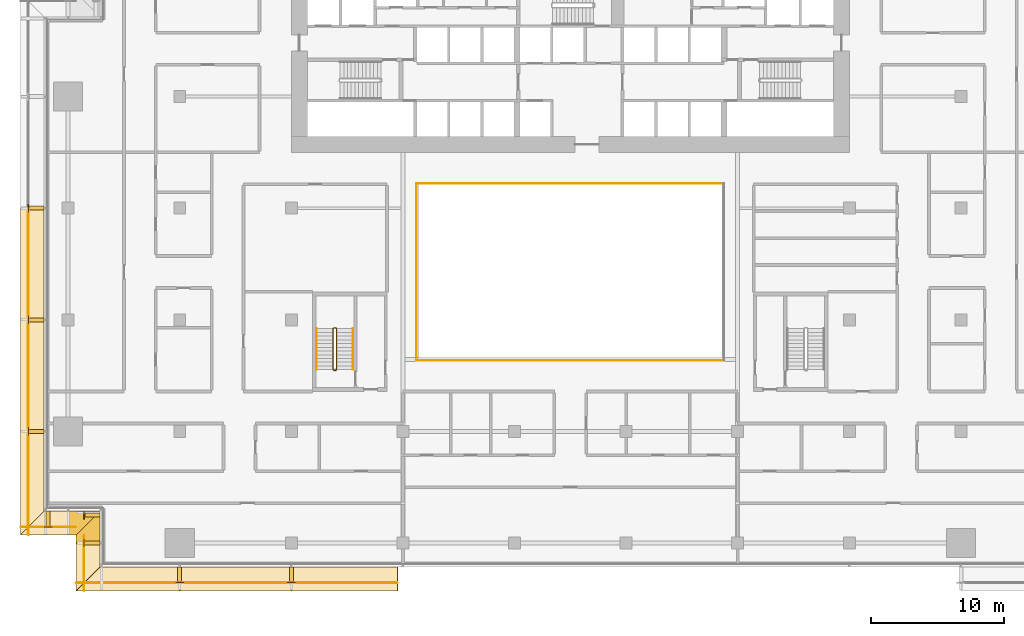
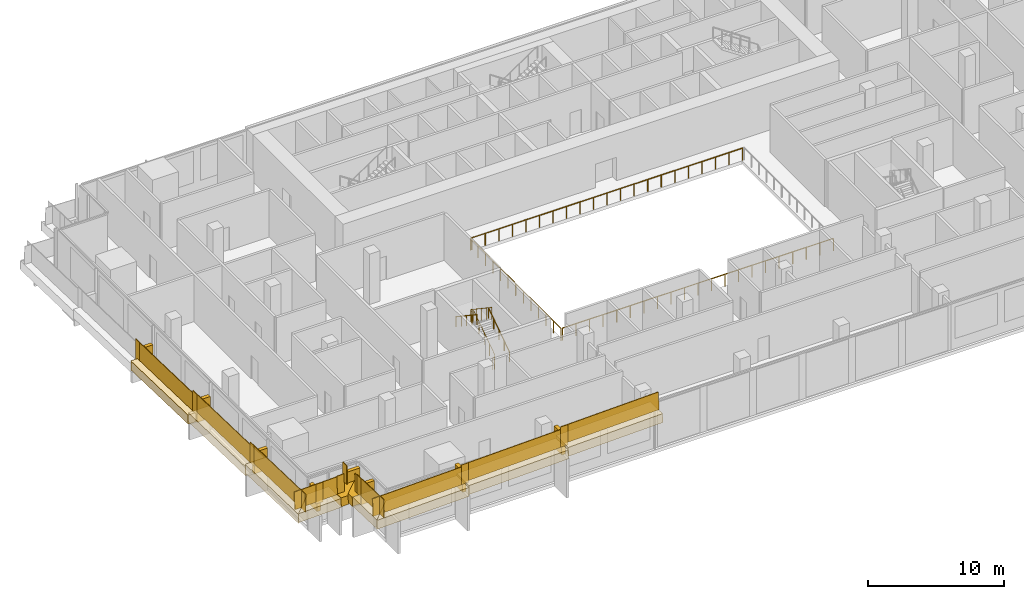
# One storey, part 20 of 23: 24 railings, 18 coverings.
"""IFC4 building model written with IfcOpenShell, lengths in metres."""

from ifc_helpers import new_model, si_unit, direction, frame, origin, origin_2d, place, context, subcontext, project, spatial, polyline, rectangle, circle, outline, extrude, material, layer, layer_set, type_object, element, save


model = new_model("IFC4")

# Units and contexts
model_context = context("Model", 3, precision=1e-05, world=origin(), true_north=direction((0.0, 1.0)))
body_context = subcontext(model_context, "Body", "Model", "MODEL_VIEW")
ifc_project = project(units=[si_unit("LENGTHUNIT", "METRE"), si_unit("AREAUNIT", "SQUARE_METRE"), si_unit("VOLUMEUNIT", "CUBIC_METRE"), si_unit("PLANEANGLEUNIT", "RADIAN"), si_unit("MASSUNIT", "GRAM", prefix="KILO")], contexts=[model_context])

# Site, building, storey
site_placement = place(None, origin())
site = spatial("IfcSite", under=ifc_project, at=site_placement, CompositionType="ELEMENT")
building_placement = place(site_placement, origin())
building = spatial("IfcBuilding", under=site, at=building_placement, Name="Saffron Gate Tower", CompositionType="ELEMENT")
storey_placement = place(building_placement, frame((0.0, 0.0, 23.699951171875)))
storey = spatial("IfcBuildingStorey", under=building, at=storey_placement, Name="L04", CompositionType="ELEMENT", Elevation=23.699951171875)

# Railings
ifc_material_1 = material(Name="Stainless steel and laminated glass", Category="steel")
railing_type_1 = type_object("IfcRailingType", Name="AG1 Atrium edge guard 1100", PredefinedType="GUARDRAIL", material=ifc_material_1)
railing_1_placement = place(storey_placement, frame((76.02001953125, 45.5400390625, 0.0)))
element("IfcRailing", 1, at=railing_1_placement, inside=storey, type_object=railing_type_1, Name="Guard S2-1", PredefinedType="GUARDRAIL", context=body_context, shape_type="SweptSolid", body=[
    extrude(circle(Radius=0.02392578125, at=origin_2d()), frame((0.0, 0.0, 1.076171875), z_axis=(0.0, 1.0, 0.0), x_axis=(-1.0, 0.0, 0.0)), (0.0, 0.0, 1.0), 13.320068359375),
    extrude(circle(Radius=0.02099609375, at=origin_2d()), origin(), (0.0, 0.0, 1.0), 1.052001953125),
    extrude(circle(Radius=0.02099609375, at=origin_2d()), frame((0.0, 1.110107421875, 0.0)), (0.0, 0.0, 1.0), 1.052001953125),
    extrude(circle(Radius=0.02099609375, at=origin_2d()), frame((0.0, 2.219970703125, 0.0)), (0.0, 0.0, 1.0), 1.052001953125),
    extrude(circle(Radius=0.02099609375, at=origin_2d()), frame((0.0, 3.330078125, 0.0)), (0.0, 0.0, 1.0), 1.052001953125),
    extrude(circle(Radius=0.02099609375, at=origin_2d()), frame((0.0, 4.43994140625, 0.0)), (0.0, 0.0, 1.0), 1.052001953125),
    extrude(circle(Radius=0.02099609375, at=origin_2d()), frame((0.0, 5.550048828125, 0.0)), (0.0, 0.0, 1.0), 1.052001953125),
    extrude(circle(Radius=0.02099609375, at=origin_2d()), frame((0.0, 6.66015625, 0.0)), (0.0, 0.0, 1.0), 1.052001953125),
    extrude(circle(Radius=0.02099609375, at=origin_2d()), frame((0.0, 7.77001953125, 0.0)), (0.0, 0.0, 1.0), 1.052001953125),
    extrude(circle(Radius=0.02099609375, at=origin_2d()), frame((0.0, 8.880126953125, 0.0)), (0.0, 0.0, 1.0), 1.052001953125),
    extrude(circle(Radius=0.02099609375, at=origin_2d()), frame((0.0, 9.989990234375, 0.0)), (0.0, 0.0, 1.0), 1.052001953125),
    extrude(circle(Radius=0.02099609375, at=origin_2d()), frame((0.0, 11.10009765625, 0.0)), (0.0, 0.0, 1.0), 1.052001953125),
    extrude(circle(Radius=0.02099609375, at=origin_2d()), frame((0.0, 12.2099609375, 0.0)), (0.0, 0.0, 1.0), 1.052001953125),
    extrude(circle(Radius=0.02099609375, at=origin_2d()), frame((0.0, 13.320068359375, 0.0)), (0.0, 0.0, 1.0), 1.052001953125),
])
railing_2_placement = place(storey_placement, frame((76.139892578125, 58.860107421875, 0.0)))
element("IfcRailing", 2, at=railing_2_placement, inside=storey, type_object=railing_type_1, Name="Guard S2-2", PredefinedType="GUARDRAIL", context=body_context, shape_type="SweptSolid", body=[
    extrude(circle(Radius=0.02392578125, at=origin_2d()), frame((0.0, 0.0, 1.076171875), z_axis=(1.0, 0.0, 0.0), x_axis=(0.0, 1.0, 0.0)), (0.0, 0.0, 1.0), 22.920166015625),
    extrude(circle(Radius=0.02099609375, at=origin_2d()), origin(), (0.0, 0.0, 1.0), 1.052001953125),
    extrude(circle(Radius=0.02099609375, at=origin_2d()), frame((1.14599609375, 0.0, 0.0)), (0.0, 0.0, 1.0), 1.052001953125),
    extrude(circle(Radius=0.02099609375, at=origin_2d()), frame((2.2919921875, 0.0, 0.0)), (0.0, 0.0, 1.0), 1.052001953125),
    extrude(circle(Radius=0.02099609375, at=origin_2d()), frame((3.43798828125, 0.0, 0.0)), (0.0, 0.0, 1.0), 1.052001953125),
    extrude(circle(Radius=0.02099609375, at=origin_2d()), frame((4.583984375, 0.0, 0.0)), (0.0, 0.0, 1.0), 1.052001953125),
    extrude(circle(Radius=0.02099609375, at=origin_2d()), frame((5.72998046875, 0.0, 0.0)), (0.0, 0.0, 1.0), 1.052001953125),
    extrude(circle(Radius=0.02099609375, at=origin_2d()), frame((6.8759765625, 0.0, 0.0)), (0.0, 0.0, 1.0), 1.052001953125),
    extrude(circle(Radius=0.02099609375, at=origin_2d()), frame((8.02197265625, 0.0, 0.0)), (0.0, 0.0, 1.0), 1.052001953125),
    extrude(circle(Radius=0.02099609375, at=origin_2d()), frame((9.16796875, 0.0, 0.0)), (0.0, 0.0, 1.0), 1.052001953125),
    extrude(circle(Radius=0.02099609375, at=origin_2d()), frame((10.31396484375, 0.0, 0.0)), (0.0, 0.0, 1.0), 1.052001953125),
    extrude(circle(Radius=0.02099609375, at=origin_2d()), frame((11.4599609375, 0.0, 0.0)), (0.0, 0.0, 1.0), 1.052001953125),
    extrude(circle(Radius=0.02099609375, at=origin_2d()), frame((12.606201171875, 0.0, 0.0)), (0.0, 0.0, 1.0), 1.052001953125),
    extrude(circle(Radius=0.02099609375, at=origin_2d()), frame((13.752197265625, 0.0, 0.0)), (0.0, 0.0, 1.0), 1.052001953125),
    extrude(circle(Radius=0.02099609375, at=origin_2d()), frame((14.898193359375, 0.0, 0.0)), (0.0, 0.0, 1.0), 1.052001953125),
    extrude(circle(Radius=0.02099609375, at=origin_2d()), frame((16.044189453125, 0.0, 0.0)), (0.0, 0.0, 1.0), 1.052001953125),
    extrude(circle(Radius=0.02099609375, at=origin_2d()), frame((17.190185546875, 0.0, 0.0)), (0.0, 0.0, 1.0), 1.052001953125),
    extrude(circle(Radius=0.02099609375, at=origin_2d()), frame((18.336181640625, 0.0, 0.0)), (0.0, 0.0, 1.0), 1.052001953125),
    extrude(circle(Radius=0.02099609375, at=origin_2d()), frame((19.482177734375, 0.0, 0.0)), (0.0, 0.0, 1.0), 1.052001953125),
    extrude(circle(Radius=0.02099609375, at=origin_2d()), frame((20.628173828125, 0.0, 0.0)), (0.0, 0.0, 1.0), 1.052001953125),
    extrude(circle(Radius=0.02099609375, at=origin_2d()), frame((21.774169921875, 0.0, 0.0)), (0.0, 0.0, 1.0), 1.052001953125),
    extrude(circle(Radius=0.02099609375, at=origin_2d()), frame((22.920166015625, 0.0, 0.0)), (0.0, 0.0, 1.0), 1.052001953125),
])
railing_3_placement = place(storey_placement, frame((99.06005859375, 45.5400390625, 0.0)))
element("IfcRailing", 3, at=railing_3_placement, inside=storey, type_object=railing_type_1, Name="Guard S2-4", PredefinedType="GUARDRAIL", context=body_context, shape_type="SweptSolid", body=[
    extrude(circle(Radius=0.02392578125, at=origin_2d()), frame((0.0, 0.0, 1.076171875), z_axis=(-1.0, 0.0, 0.0), x_axis=(0.0, -1.0, 0.0)), (0.0, 0.0, 1.0), 22.920166015625),
    extrude(circle(Radius=0.02099609375, at=origin_2d()), origin(), (0.0, 0.0, 1.0), 1.052001953125),
    extrude(circle(Radius=0.02099609375, at=origin_2d()), frame((-1.14599609375, 0.0, 0.0)), (0.0, 0.0, 1.0), 1.052001953125),
    extrude(circle(Radius=0.02099609375, at=origin_2d()), frame((-2.2919921875, 0.0, 0.0)), (0.0, 0.0, 1.0), 1.052001953125),
    extrude(circle(Radius=0.02099609375, at=origin_2d()), frame((-3.43798828125, 0.0, 0.0)), (0.0, 0.0, 1.0), 1.052001953125),
    extrude(circle(Radius=0.02099609375, at=origin_2d()), frame((-4.583984375, 0.0, 0.0)), (0.0, 0.0, 1.0), 1.052001953125),
    extrude(circle(Radius=0.02099609375, at=origin_2d()), frame((-5.72998046875, 0.0, 0.0)), (0.0, 0.0, 1.0), 1.052001953125),
    extrude(circle(Radius=0.02099609375, at=origin_2d()), frame((-6.8759765625, 0.0, 0.0)), (0.0, 0.0, 1.0), 1.052001953125),
    extrude(circle(Radius=0.02099609375, at=origin_2d()), frame((-8.02197265625, 0.0, 0.0)), (0.0, 0.0, 1.0), 1.052001953125),
    extrude(circle(Radius=0.02099609375, at=origin_2d()), frame((-9.16796875, 0.0, 0.0)), (0.0, 0.0, 1.0), 1.052001953125),
    extrude(circle(Radius=0.02099609375, at=origin_2d()), frame((-10.31396484375, 0.0, 0.0)), (0.0, 0.0, 1.0), 1.052001953125),
    extrude(circle(Radius=0.02099609375, at=origin_2d()), frame((-11.4599609375, 0.0, 0.0)), (0.0, 0.0, 1.0), 1.052001953125),
    extrude(circle(Radius=0.02099609375, at=origin_2d()), frame((-12.606201171875, 0.0, 0.0)), (0.0, 0.0, 1.0), 1.052001953125),
    extrude(circle(Radius=0.02099609375, at=origin_2d()), frame((-13.752197265625, 0.0, 0.0)), (0.0, 0.0, 1.0), 1.052001953125),
    extrude(circle(Radius=0.02099609375, at=origin_2d()), frame((-14.898193359375, 0.0, 0.0)), (0.0, 0.0, 1.0), 1.052001953125),
    extrude(circle(Radius=0.02099609375, at=origin_2d()), frame((-16.044189453125, 0.0, 0.0)), (0.0, 0.0, 1.0), 1.052001953125),
    extrude(circle(Radius=0.02099609375, at=origin_2d()), frame((-17.190185546875, 0.0, 0.0)), (0.0, 0.0, 1.0), 1.052001953125),
    extrude(circle(Radius=0.02099609375, at=origin_2d()), frame((-18.336181640625, 0.0, 0.0)), (0.0, 0.0, 1.0), 1.052001953125),
    extrude(circle(Radius=0.02099609375, at=origin_2d()), frame((-19.482177734375, 0.0, 0.0)), (0.0, 0.0, 1.0), 1.052001953125),
    extrude(circle(Radius=0.02099609375, at=origin_2d()), frame((-20.628173828125, 0.0, 0.0)), (0.0, 0.0, 1.0), 1.052001953125),
    extrude(circle(Radius=0.02099609375, at=origin_2d()), frame((-21.774169921875, 0.0, 0.0)), (0.0, 0.0, 1.0), 1.052001953125),
    extrude(circle(Radius=0.02099609375, at=origin_2d()), frame((-22.920166015625, 0.0, 0.0)), (0.0, 0.0, 1.0), 1.052001953125),
])
railing_type_2 = type_object("IfcRailingType", Name="CR1 Stair guard 1100", PredefinedType="GUARDRAIL", material=ifc_material_1)
railing_4_placement = place(storey_placement, frame((69.800048828125, 44.800048828125, 0.0)))
element("IfcRailing", 4, at=railing_4_placement, inside=storey, type_object=railing_type_2, Name="L04 ST-D stair guard 1", PredefinedType="GUARDRAIL", context=body_context, shape_type="SweptSolid", body=[
    extrude(circle(Radius=0.02392578125, at=origin_2d()), frame((0.0, 0.0, 1.076171875), z_axis=(1.0, 0.0, 0.0), x_axis=(0.0, 1.0, 0.0)), (0.0, 0.0, 1.0), 0.14990234375),
    extrude(circle(Radius=0.02392578125, at=origin_2d()), frame((0.14990234375, 0.0, 1.076171875), z_axis=(0.249726431254, 0.249726431254, 0.935560483917), x_axis=(-0.707106781187, 0.707106781187, 0.0)), (0.0, 0.0, 1.0), 0.200439453125),
    extrude(circle(Radius=0.02392578125, at=origin_2d()), frame((0.199951171875, 0.050048828125, 1.263671875), z_axis=(0.0, 0.830893310487, 0.556431762742), x_axis=(-1.0, 0.0, 0.0)), (0.0, 0.0, 1.0), 3.70654296875),
    extrude(circle(Radius=0.02392578125, at=origin_2d()), frame((0.199951171875, 3.1298828125, 3.326171875), z_axis=(-0.707106781187, 0.707106781187, 0.0), x_axis=(-0.707106781187, -0.707106781187, 0.0)), (0.0, 0.0, 1.0), 0.07080078125),
    extrude(circle(Radius=0.02392578125, at=origin_2d()), frame((0.14990234375, 3.179931640625, 3.326171875), z_axis=(-1.0, 0.0, 0.0), x_axis=(0.0, -1.0, 0.0)), (0.0, 0.0, 1.0), 0.14990234375),
    extrude(circle(Radius=0.02392578125, at=origin_2d()), frame((0.0, 3.179931640625, 3.326171875), z_axis=(-0.249726431254, -0.249726431254, 0.935560483917), x_axis=(0.707106781187, -0.707106781187, 0.0)), (0.0, 0.0, 1.0), 0.200439453125),
    extrude(circle(Radius=0.02392578125, at=origin_2d()), frame((-0.050048828125, 3.1298828125, 3.513671875), z_axis=(0.0, -0.830893310487, 0.556431762742), x_axis=(1.0, 0.0, 0.0)), (0.0, 0.0, 1.0), 3.70654296875),
    extrude(circle(Radius=0.02099609375, at=origin_2d()), origin(), (0.0, 0.0, 1.0), 1.052001953125),
    extrude(circle(Radius=0.02099609375, at=origin_2d()), frame((0.14990234375, 0.0, 0.0)), (0.0, 0.0, 1.0), 1.052001953125),
    extrude(circle(Radius=0.02099609375, at=origin_2d()), frame((0.199951171875, 0.050048828125, 0.1875)), (0.0, 0.0, 1.0), 1.052001953125),
    extrude(circle(Radius=0.02099609375, at=origin_2d()), frame((0.199951171875, 0.820068359375, 0.703125)), (0.0, 0.0, 1.0), 1.052001953125),
    extrude(circle(Radius=0.02099609375, at=origin_2d()), frame((0.199951171875, 1.58984375, 1.21875)), (0.0, 0.0, 1.0), 1.052001953125),
    extrude(circle(Radius=0.02099609375, at=origin_2d()), frame((0.199951171875, 2.35986328125, 1.734375)), (0.0, 0.0, 1.0), 1.052001953125),
    extrude(circle(Radius=0.02099609375, at=origin_2d()), frame((0.199951171875, 3.1298828125, 2.25)), (0.0, 0.0, 1.0), 1.052001953125),
    extrude(circle(Radius=0.02099609375, at=origin_2d()), frame((0.14990234375, 3.179931640625, 2.25)), (0.0, 0.0, 1.0), 1.052001953125),
    extrude(circle(Radius=0.02099609375, at=origin_2d()), frame((0.0, 3.179931640625, 2.25)), (0.0, 0.0, 1.0), 1.052001953125),
    extrude(circle(Radius=0.02099609375, at=origin_2d()), frame((-0.050048828125, 3.1298828125, 2.4375)), (0.0, 0.0, 1.0), 1.052001953125),
    extrude(circle(Radius=0.02099609375, at=origin_2d()), frame((-0.050048828125, 2.35986328125, 2.953125)), (0.0, 0.0, 1.0), 1.052001953125),
    extrude(circle(Radius=0.02099609375, at=origin_2d()), frame((-0.050048828125, 1.58984375, 3.46875)), (0.0, 0.0, 1.0), 1.052001953125),
    extrude(circle(Radius=0.02099609375, at=origin_2d()), frame((-0.050048828125, 0.820068359375, 3.984375)), (0.0, 0.0, 1.0), 1.052001953125),
    extrude(circle(Radius=0.02099609375, at=origin_2d()), frame((-0.050048828125, 0.050048828125, 4.5)), (0.0, 0.0, 1.0), 1.052001953125),
])
ifc_material_2 = material(Name="Stainless steel", Category="steel")
railing_type_3 = type_object("IfcRailingType", Name="CR2 Stair handrail 900", PredefinedType="HANDRAIL", material=ifc_material_2)
railing_5_placement = place(storey_placement, frame((71.25, 44.85009765625, 0.1875)))
element("IfcRailing", 5, at=railing_5_placement, inside=storey, type_object=railing_type_3, Name="L04 ST-D stair handrail 1", PredefinedType="HANDRAIL", context=body_context, shape_type="SweptSolid", body=[
    extrude(circle(Radius=0.02392578125, at=origin_2d()), frame((0.0, 0.0, 0.8759765625), z_axis=(0.0, 0.830893310487, 0.556431762742), x_axis=(-1.0, 0.0, 0.0)), (0.0, 0.0, 1.0), 3.70654296875),
    extrude(circle(Radius=0.02099609375, at=origin_2d()), origin(), (0.0, 0.0, 1.0), 0.851806640625),
    extrude(circle(Radius=0.02099609375, at=origin_2d()), frame((0.0, 0.77001953125, 0.515625)), (0.0, 0.0, 1.0), 0.851806640625),
    extrude(circle(Radius=0.02099609375, at=origin_2d()), frame((0.0, 1.5400390625, 1.03125)), (0.0, 0.0, 1.0), 0.851806640625),
    extrude(circle(Radius=0.02099609375, at=origin_2d()), frame((0.0, 2.309814453125, 1.546875)), (0.0, 0.0, 1.0), 0.851806640625),
    extrude(circle(Radius=0.02099609375, at=origin_2d()), frame((0.0, 3.079833984375, 2.0625)), (0.0, 0.0, 1.0), 0.851806640625),
])
railing_6_placement = place(storey_placement, frame((68.5, 47.929931640625, 2.4375)))
element("IfcRailing", 6, at=railing_6_placement, inside=storey, type_object=railing_type_3, Name="L04 ST-D stair handrail 2", PredefinedType="HANDRAIL", context=body_context, shape_type="SweptSolid", body=[
    extrude(circle(Radius=0.02392578125, at=origin_2d()), frame((0.0, 0.0, 0.8759765625), z_axis=(0.0, -0.830893310487, 0.556431762742), x_axis=(1.0, 0.0, 0.0)), (0.0, 0.0, 1.0), 3.70654296875),
    extrude(circle(Radius=0.02099609375, at=origin_2d()), origin(), (0.0, 0.0, 1.0), 0.851806640625),
    extrude(circle(Radius=0.02099609375, at=origin_2d()), frame((0.0, -0.77001953125, 0.515625)), (0.0, 0.0, 1.0), 0.851806640625),
    extrude(circle(Radius=0.02099609375, at=origin_2d()), frame((0.0, -1.5400390625, 1.03125)), (0.0, 0.0, 1.0), 0.851806640625),
    extrude(circle(Radius=0.02099609375, at=origin_2d()), frame((0.0, -2.309814453125, 1.546875)), (0.0, 0.0, 1.0), 0.851806640625),
    extrude(circle(Radius=0.02099609375, at=origin_2d()), frame((0.0, -3.079833984375, 2.0625)), (0.0, 0.0, 1.0), 0.851806640625),
])

# Coverings
ifc_material_3 = material(Name="Timber, thermally modified ash", Category="wood")
ifc_layer_1 = layer(ifc_material_3, 0.800048828125)
ifc_layer_set_1 = layer_set([ifc_layer_1], Name="LD1 ledge timber")
covering_type_1 = type_object("IfcCoveringType", Name="LD1 ledge timber", PredefinedType="CLADDING", material=ifc_layer_set_1)
covering_1_placement = place(storey_placement, frame((48.0, 57.0, 1.671875), z_axis=(0.0, 0.028791175352, 0.999585448184), x_axis=(0.0, -0.999585448184, 0.028791175352)))
element("IfcCovering", 7, at=covering_1_placement, inside=storey, type_object=covering_type_1, Name="LEDGE", PredefinedType="CLADDING", context=body_context, shape_type="SweptSolid", body=[
    extrude(outline(polyline([(0.0, 0.0), (8.403385982666892, 0.0), (8.403385982666892, -1.800048828125), (0.0, -1.800048828125), (0.0, 0.0)])), origin(), (0.0, 0.0, -1.0), 0.800048828125),
])
covering_2_placement = place(storey_placement, frame((48.0, 48.60009765625, 2.14501953125), z_axis=(0.0, 0.028790339263, 0.999585472266), x_axis=(0.0, -0.999585472266, 0.028790339263)))
element("IfcCovering", 8, at=covering_2_placement, inside=storey, type_object=covering_type_1, Name="LEDGE", PredefinedType="CLADDING", context=body_context, shape_type="SweptSolid", body=[
    extrude(outline(polyline([(0.0, 0.0), (8.403630022085892, 0.0), (8.403630022085892, -1.800048828125), (0.0, -1.800048828125), (0.0, 0.0)])), origin(), (0.0, 0.0, -1.0), 0.800048828125),
])
covering_3_placement = place(storey_placement, frame((48.0, 40.199951171875, 2.617919921875), z_axis=(3.5027307e-05, 0.028807146299, 0.99958498743), x_axis=(3.68e-10, -0.999584988043, 0.028807146316)))
element("IfcCovering", 9, at=covering_3_placement, inside=storey, type_object=covering_type_1, Name="LEDGE", PredefinedType="CLADDING", context=body_context, shape_type="SweptSolid", body=[
    extrude(outline(polyline([(0.0, 0.0), (6.0024892885105, -2.541098841762901e-21), (7.8032891020589235, -1.8000488321003227), (-6.622937652878055e-10, -1.8000488270207489), (0.0, 0.0)])), origin(), (0.0, 0.0, -1.0), 0.800048828125),
])
covering_4_placement = place(storey_placement, frame((48.0, 34.199951171875, 2.9560546875), z_axis=(-0.028786835276, -4.5191264e-05, 0.999585572161), x_axis=(0.999585573182, -2.041e-09, 0.028786835305)))
element("IfcCovering", 10, at=covering_4_placement, inside=storey, type_object=covering_type_1, Name="LEDGE", PredefinedType="CLADDING", context=body_context, shape_type="SweptSolid", body=[
    extrude(outline(polyline([(0.0, 0.0), (1.8007927832406818, 0.0), (1.8007927869153135, -1.800048826286925), (-1.8007998076020133, -1.8000488373153904), (0.0, 0.0)])), origin(), (0.0, 0.0, -1.0), 0.800048828125),
])
covering_5_placement = place(storey_placement, frame((49.800048828125, 34.199951171875, 3.057373046875), z_axis=(-0.028798988267, 2.8677152e-05, 0.999585222706), x_axis=(0.999585223117, 6.17e-10, 0.028798988279)))
element("IfcCovering", 11, at=covering_5_placement, inside=storey, type_object=covering_type_1, Name="LEDGE", PredefinedType="CLADDING", context=body_context, shape_type="SweptSolid", body=[
    extrude(outline(polyline([(0.0, 0.0), (2.400896693585025, 4.235164736271502e-22), (0.6001039103565923, -1.8000488292351675), (-1.1098572600196767e-09, -1.8000488273848385), (0.0, 0.0)])), origin(), (0.0, 0.0, -1.0), 0.800048828125),
])
covering_6_placement = place(storey_placement, frame((52.199951171875, 34.199951171875, 3.192626953125), z_axis=(-2.8677152e-05, 0.028798988267, 0.999585222706), x_axis=(-6.17e-10, -0.999585223117, 0.028798988279)))
element("IfcCovering", 12, at=covering_6_placement, inside=storey, type_object=covering_type_1, Name="LEDGE", PredefinedType="CLADDING", context=body_context, shape_type="SweptSolid", body=[
    extrude(outline(polyline([(0.0, 0.0), (2.400896693585025, -4.235164736271502e-22), (2.400896694694882, -1.8000488273848385), (1.8007927832284332, -1.8000488292351673), (0.0, 0.0)])), origin(), (0.0, 0.0, -1.0), 0.800048828125),
])
covering_7_placement = place(storey_placement, frame((52.199951171875, 31.800048828125, 3.32763671875), z_axis=(-4.5191205e-05, 0.028831989003, 0.999584270769), x_axis=(2.041e-09, -0.999584271789, 0.028831989032)))
element("IfcCovering", 13, at=covering_7_placement, inside=storey, type_object=covering_type_1, Name="LEDGE", PredefinedType="CLADDING", context=body_context, shape_type="SweptSolid", body=[
    extrude(outline(polyline([(0.0, 0.0), (1.8007998167885757, 0.0), (3.6015925908427215, -1.800048837315338), (-3.6746077267916745e-09, -1.80004882628693), (0.0, 0.0)])), origin(), (0.0, 0.0, -1.0), 0.800048828125),
])
covering_8_placement = place(storey_placement, frame((52.199951171875, 30.0, 3.428955078125), z_axis=(-0.028789477025, 2.391759e-05, 0.999585496814), x_axis=(0.9995854971, -1.72e-10, 0.028789477033)))
element("IfcCovering", 14, at=covering_8_placement, inside=storey, type_object=covering_type_1, Name="LEDGE", PredefinedType="CLADDING", context=body_context, shape_type="SweptSolid", body=[
    extrude(outline(polyline([(0.0, 0.0), (6.002489288687248, -8.470329472543003e-22), (6.002489288996045, -1.8000488276101398), (-1.800792782710612, -1.8000488299785034), (0.0, 0.0)])), origin(), (0.0, 0.0, -1.0), 0.800048828125),
])
covering_9_placement = place(storey_placement, frame((58.199951171875, 30.0, 3.76708984375), z_axis=(-0.028790339263, 0.0, 0.999585472266), x_axis=(0.999585472266, 0.0, 0.028790339263)))
element("IfcCovering", 15, at=covering_9_placement, inside=storey, type_object=covering_type_1, Name="LEDGE", PredefinedType="CLADDING", context=body_context, shape_type="SweptSolid", body=[
    extrude(outline(polyline([(0.0, 0.0), (8.403630022085892, 0.0), (8.403630022085892, -1.800048828125), (0.0, -1.800048828125), (0.0, 0.0)])), origin(), (0.0, 0.0, -1.0), 0.800048828125),
])
covering_10_placement = place(storey_placement, frame((66.60009765625, 30.0, 4.239990234375), z_axis=(-0.028796646555, 0.0, 0.999585290582), x_axis=(0.999585290582, 0.0, 0.028796646555)))
element("IfcCovering", 16, at=covering_10_placement, inside=storey, type_object=covering_type_1, Name="LEDGE", PredefinedType="CLADDING", context=body_context, shape_type="SweptSolid", body=[
    extrude(outline(polyline([(0.0, 0.0), (8.003319051788862, 0.0), (8.003319051788862, -1.800048828125), (0.0, -1.800048828125), (0.0, 0.0)])), origin(), (0.0, 0.0, -1.0), 0.800048828125),
])
ifc_layer_2 = layer(ifc_material_3, 0.300048828125)
ifc_layer_set_2 = layer_set([ifc_layer_2], Name="LD3 ledge riser fin")
covering_type_2 = type_object("IfcCoveringType", Name="LD3 ledge riser fin", PredefinedType="CLADDING", material=ifc_layer_set_2)
for number, where, z_axis, x_axis, name in (
    (17, (47.43994140625, 57.0, 0.640625), (0.0, 0.0, 1.0), (0.0, -1.0, 0.0), "LEDGE riser fin"),
    (18, (47.43994140625, 48.60009765625, 1.11376953125), (0.0, 0.0, 1.0), (0.0, -1.0, 0.0), "LEDGE riser fin"),
    (19, (47.43994140625, 40.199951171875, 1.5869140625), (0.0, 0.0, 1.0), (0.0, -1.0, 0.0), "LEDGE riser fin"),
):
    element("IfcCovering", number, at=place(storey_placement, frame(where, z_axis=z_axis, x_axis=x_axis)), inside=storey, type_object=covering_type_2, Name=name, PredefinedType="CLADDING", context=body_context, shape_type="SweptSolid", body=[
        extrude(rectangle(XDim=0.300048828125, YDim=1.1201171875, at=origin_2d()), origin(), (0.0, 0.0, 1.0), 1.93115234375),
    ])
covering_11_placement = place(storey_placement, frame((48.300048828125, 33.639892578125, 1.99072265625), z_axis=(0.0, 0.0, 1.0), x_axis=(1.0, 0.0, 0.0)))
element("IfcCovering", 20, at=covering_11_placement, inside=storey, type_object=covering_type_2, Name="LEDGE riser fin", PredefinedType="CLADDING", context=body_context, shape_type="SweptSolid", body=[
    extrude(rectangle(XDim=0.300048828125, YDim=1.1201171875, at=origin_2d()), origin(), (0.0, 0.0, 1.0), 1.864990234375),
])
for number, where, z_axis, x_axis, name in (
    (21, (51.639892578125, 33.89990234375, 2.326416015625), (0.0, 0.0, 1.0), (0.0, -1.0, 0.0), "LEDGE riser fin"),
    (22, (51.639892578125, 31.800048828125, 2.461669921875), (0.0, 0.0, 1.0), (0.0, -1.0, 0.0), "LEDGE riser fin"),
):
    element("IfcCovering", number, at=place(storey_placement, frame(where, z_axis=z_axis, x_axis=x_axis)), inside=storey, type_object=covering_type_2, Name=name, PredefinedType="CLADDING", context=body_context, shape_type="SweptSolid", body=[
        extrude(rectangle(XDim=0.300048828125, YDim=1.1201171875, at=origin_2d()), origin(), (0.0, 0.0, 1.0), 1.76611328125),
    ])
covering_12_placement = place(storey_placement, frame((58.199951171875, 29.43994140625, 2.8017578125), z_axis=(0.0, 0.0, 1.0), x_axis=(1.0, 0.0, 0.0)))
element("IfcCovering", 23, at=covering_12_placement, inside=storey, type_object=covering_type_2, Name="LEDGE riser fin", PredefinedType="CLADDING", context=body_context, shape_type="SweptSolid", body=[
    extrude(rectangle(XDim=0.300048828125, YDim=1.1201171875, at=origin_2d()), origin(), (0.0, 0.0, 1.0), 1.864990234375),
])
covering_13_placement = place(storey_placement, frame((66.60009765625, 29.43994140625, 3.208984375), z_axis=(0.0, 0.0, 1.0), x_axis=(1.0, 0.0, 0.0)))
element("IfcCovering", 24, at=covering_13_placement, inside=storey, type_object=covering_type_2, Name="LEDGE riser fin", PredefinedType="CLADDING", context=body_context, shape_type="SweptSolid", body=[
    extrude(rectangle(XDim=0.300048828125, YDim=1.1201171875, at=origin_2d()), origin(), (0.0, 0.0, 1.0), 1.93115234375),
])

# Railings
railing_type_4 = type_object("IfcRailingType", Name="LG1 ledge balustrade", PredefinedType="BALUSTRADE", material=ifc_material_3)
railing_7_placement = place(storey_placement, frame((46.800048828125, 57.0, 1.671875)))
element("IfcRailing", 25, at=railing_7_placement, inside=storey, type_object=railing_type_4, Name="LEDGE BALUSTRADE", PredefinedType="BALUSTRADE", context=body_context, shape_type="SweptSolid", body=[
    extrude(rectangle(XDim=0.06005859375, YDim=1.60009765625, at=origin_2d()), frame((0.0, 0.0, 0.800048828125), z_axis=(0.0, -0.999585448184, 0.028791175352), x_axis=(1.0, 0.0, 0.0)), (0.0, 0.0, 1.0), 8.4033203125),
])
railing_8_placement = place(storey_placement, frame((46.800048828125, 57.300048828125, 1.440673828125)))
element("IfcRailing", 26, at=railing_8_placement, inside=storey, type_object=railing_type_4, Name="LEDGE BALUSTRADE", PredefinedType="BALUSTRADE", context=body_context, shape_type="SweptSolid", body=[
    extrude(rectangle(XDim=0.06005859375, YDim=1.8310546875, at=origin_2d()), frame((0.0, 0.0, 0.91552734375), z_axis=(0.0, -1.0, 0.0), x_axis=(1.0, 0.0, 0.0)), (0.0, 0.0, 1.0), 0.60009765625),
])
railing_9_placement = place(storey_placement, frame((46.800048828125, 48.60009765625, 2.14501953125)))
element("IfcRailing", 27, at=railing_9_placement, inside=storey, type_object=railing_type_4, Name="LEDGE BALUSTRADE", PredefinedType="BALUSTRADE", context=body_context, shape_type="SweptSolid", body=[
    extrude(rectangle(XDim=0.06005859375, YDim=1.60009765625, at=origin_2d()), frame((0.0, 0.0, 0.800048828125), z_axis=(0.0, -0.999585472266, 0.028790339263), x_axis=(1.0, 0.0, 0.0)), (0.0, 0.0, 1.0), 8.403564453125),
])
railing_10_placement = place(storey_placement, frame((46.800048828125, 48.89990234375, 1.913818359375)))
element("IfcRailing", 28, at=railing_10_placement, inside=storey, type_object=railing_type_4, Name="LEDGE BALUSTRADE", PredefinedType="BALUSTRADE", context=body_context, shape_type="SweptSolid", body=[
    extrude(rectangle(XDim=0.06005859375, YDim=1.8310546875, at=origin_2d()), frame((0.0, 0.0, 0.91552734375), z_axis=(0.0, -1.0, 0.0), x_axis=(1.0, 0.0, 0.0)), (0.0, 0.0, 1.0), 0.599853515625),
])
railing_11_placement = place(storey_placement, frame((46.800048828125, 40.199951171875, 2.617919921875)))
element("IfcRailing", 29, at=railing_11_placement, inside=storey, type_object=railing_type_4, Name="LEDGE BALUSTRADE", PredefinedType="BALUSTRADE", context=body_context, shape_type="SweptSolid", body=[
    extrude(rectangle(XDim=0.06005859375, YDim=1.60009765625, at=origin_2d()), frame((0.0, 0.0, 0.800048828125), z_axis=(0.0, -0.999584755248, 0.028815222999), x_axis=(1.0, 0.0, 0.0)), (0.0, 0.0, 1.0), 7.80322265625),
])
railing_12_placement = place(storey_placement, frame((46.800048828125, 40.5, 2.386962890625)))
element("IfcRailing", 30, at=railing_12_placement, inside=storey, type_object=railing_type_4, Name="LEDGE BALUSTRADE", PredefinedType="BALUSTRADE", context=body_context, shape_type="SweptSolid", body=[
    extrude(rectangle(XDim=0.06005859375, YDim=1.8310546875, at=origin_2d()), frame((0.0, 0.0, 0.91552734375), z_axis=(0.0, -1.0, 0.0), x_axis=(1.0, 0.0, 0.0)), (0.0, 0.0, 1.0), 0.60009765625),
])
railing_13_placement = place(storey_placement, frame((46.199951171875, 33.0, 2.904052734375)))
element("IfcRailing", 31, at=railing_13_placement, inside=storey, type_object=railing_type_4, Name="LEDGE BALUSTRADE", PredefinedType="BALUSTRADE", context=body_context, shape_type="SweptSolid", body=[
    extrude(rectangle(XDim=0.06005859375, YDim=1.60009765625, at=origin_2d()), frame((0.0, 0.0, 0.800048828125), z_axis=(0.99958492274, 0.0, 0.028809412191), x_axis=(0.0, 1.0, 0.0)), (0.0, 0.0, 1.0), 3.6015625),
])
railing_14_placement = place(storey_placement, frame((48.0, 33.0, 2.790771484375)))
element("IfcRailing", 32, at=railing_14_placement, inside=storey, type_object=railing_type_4, Name="LEDGE BALUSTRADE", PredefinedType="BALUSTRADE", context=body_context, shape_type="SweptSolid", body=[
    extrude(rectangle(XDim=0.06005859375, YDim=1.76513671875, at=origin_2d()), frame((0.0, 0.0, 0.882568359375), z_axis=(1.0, 0.0, 0.0), x_axis=(0.0, 1.0, 0.0)), (0.0, 0.0, 1.0), 0.60009765625),
])
railing_15_placement = place(storey_placement, frame((49.800048828125, 33.0, 3.057373046875)))
element("IfcRailing", 33, at=railing_15_placement, inside=storey, type_object=railing_type_4, Name="LEDGE BALUSTRADE", PredefinedType="BALUSTRADE", context=body_context, shape_type="SweptSolid", body=[
    extrude(rectangle(XDim=0.06005859375, YDim=1.60009765625, at=origin_2d()), frame((0.0, 0.0, 0.800048828125), z_axis=(0.999582742162, 0.0, 0.028884971385), x_axis=(0.0, 1.0, 0.0)), (0.0, 0.0, 1.0), 0.60009765625),
])
railing_16_placement = place(storey_placement, frame((51.0, 32.39990234375, 3.244384765625)))
element("IfcRailing", 34, at=railing_16_placement, inside=storey, type_object=railing_type_4, Name="LEDGE BALUSTRADE", PredefinedType="BALUSTRADE", context=body_context, shape_type="SweptSolid", body=[
    extrude(rectangle(XDim=0.06005859375, YDim=1.60009765625, at=origin_2d()), frame((0.0, 0.0, 0.800048828125), z_axis=(0.0, -0.999582742162, 0.028884971385), x_axis=(1.0, 0.0, 0.0)), (0.0, 0.0, 1.0), 0.60009765625),
])
railing_17_placement = place(storey_placement, frame((51.0, 34.199951171875, 3.12646484375)))
element("IfcRailing", 35, at=railing_17_placement, inside=storey, type_object=railing_type_4, Name="LEDGE BALUSTRADE", PredefinedType="BALUSTRADE", context=body_context, shape_type="SweptSolid", body=[
    extrude(rectangle(XDim=0.06005859375, YDim=1.666015625, at=origin_2d()), frame((0.0, 0.0, 0.8330078125), z_axis=(0.0, -1.0, 0.0), x_axis=(1.0, 0.0, 0.0)), (0.0, 0.0, 1.0), 0.599853515625),
])
railing_18_placement = place(storey_placement, frame((51.0, 31.800048828125, 3.32763671875)))
element("IfcRailing", 36, at=railing_18_placement, inside=storey, type_object=railing_type_4, Name="LEDGE BALUSTRADE", PredefinedType="BALUSTRADE", context=body_context, shape_type="SweptSolid", body=[
    extrude(rectangle(XDim=0.06005859375, YDim=1.60009765625, at=origin_2d()), frame((0.0, 0.0, 0.800048828125), z_axis=(0.0, -0.99958492274, 0.028809412191), x_axis=(1.0, 0.0, 0.0)), (0.0, 0.0, 1.0), 3.6015625),
])
railing_19_placement = place(storey_placement, frame((51.0, 32.10009765625, 3.26171875)))
element("IfcRailing", 37, at=railing_19_placement, inside=storey, type_object=railing_type_4, Name="LEDGE BALUSTRADE", PredefinedType="BALUSTRADE", context=body_context, shape_type="SweptSolid", body=[
    extrude(rectangle(XDim=0.06005859375, YDim=1.666015625, at=origin_2d()), frame((0.0, 0.0, 0.8330078125), z_axis=(0.0, -1.0, 0.0), x_axis=(1.0, 0.0, 0.0)), (0.0, 0.0, 1.0), 0.60009765625),
])
railing_20_placement = place(storey_placement, frame((50.39990234375, 28.800048828125, 3.377197265625)))
element("IfcRailing", 38, at=railing_20_placement, inside=storey, type_object=railing_type_4, Name="LEDGE BALUSTRADE", PredefinedType="BALUSTRADE", context=body_context, shape_type="SweptSolid", body=[
    extrude(rectangle(XDim=0.06005859375, YDim=1.60009765625, at=origin_2d()), frame((0.0, 0.0, 0.800048828125), z_axis=(0.999585655924, 0.0, 0.028783962047), x_axis=(0.0, 1.0, 0.0)), (0.0, 0.0, 1.0), 7.80322265625),
])
railing_21_placement = place(storey_placement, frame((58.199951171875, 28.800048828125, 3.76708984375)))
element("IfcRailing", 39, at=railing_21_placement, inside=storey, type_object=railing_type_4, Name="LEDGE BALUSTRADE", PredefinedType="BALUSTRADE", context=body_context, shape_type="SweptSolid", body=[
    extrude(rectangle(XDim=0.06005859375, YDim=1.60009765625, at=origin_2d()), frame((0.0, 0.0, 0.800048828125), z_axis=(0.999585472266, 0.0, 0.028790339263), x_axis=(0.0, 1.0, 0.0)), (0.0, 0.0, 1.0), 8.403564453125),
])
railing_22_placement = place(storey_placement, frame((57.89990234375, 28.800048828125, 3.601806640625)))
element("IfcRailing", 40, at=railing_22_placement, inside=storey, type_object=railing_type_4, Name="LEDGE BALUSTRADE", PredefinedType="BALUSTRADE", context=body_context, shape_type="SweptSolid", body=[
    extrude(rectangle(XDim=0.06005859375, YDim=1.76513671875, at=origin_2d()), frame((0.0, 0.0, 0.882568359375), z_axis=(1.0, 0.0, 0.0), x_axis=(0.0, 1.0, 0.0)), (0.0, 0.0, 1.0), 0.60009765625),
])
railing_23_placement = place(storey_placement, frame((66.60009765625, 28.800048828125, 4.239990234375)))
element("IfcRailing", 41, at=railing_23_placement, inside=storey, type_object=railing_type_4, Name="LEDGE BALUSTRADE", PredefinedType="BALUSTRADE", context=body_context, shape_type="SweptSolid", body=[
    extrude(rectangle(XDim=0.06005859375, YDim=1.60009765625, at=origin_2d()), frame((0.0, 0.0, 0.800048828125), z_axis=(0.999585290582, 0.0, 0.028796646555), x_axis=(0.0, 1.0, 0.0)), (0.0, 0.0, 1.0), 8.00341796875),
])
railing_24_placement = place(storey_placement, frame((66.300048828125, 28.800048828125, 4.009033203125)))
element("IfcRailing", 42, at=railing_24_placement, inside=storey, type_object=railing_type_4, Name="LEDGE BALUSTRADE", PredefinedType="BALUSTRADE", context=body_context, shape_type="SweptSolid", body=[
    extrude(rectangle(XDim=0.06005859375, YDim=1.8310546875, at=origin_2d()), frame((0.0, 0.0, 0.91552734375), z_axis=(1.0, 0.0, 0.0), x_axis=(0.0, 1.0, 0.0)), (0.0, 0.0, 1.0), 0.599853515625),
])

save(model, "model.ifc")
